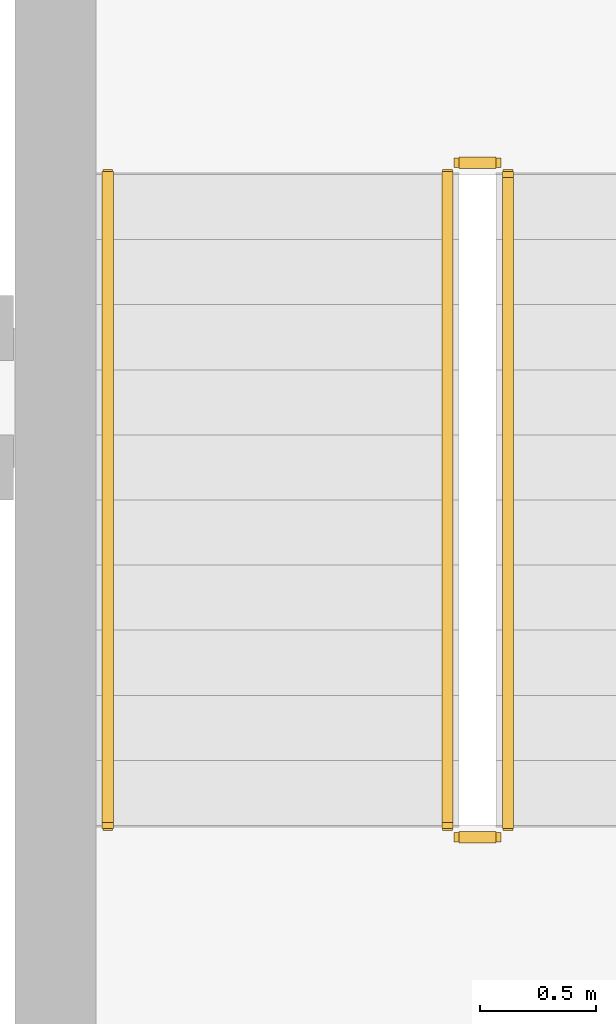
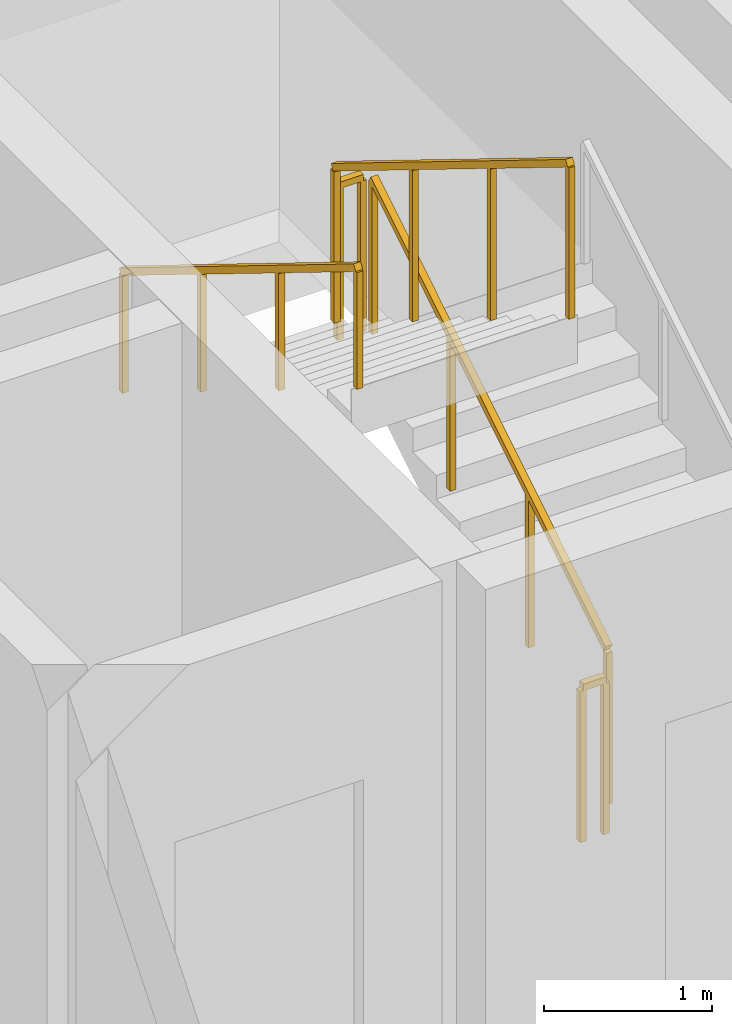
# One storey, part 14 of 15: 5 railings.
"""IFC4 building model written with IfcOpenShell, lengths in metres."""

from ifc_helpers import new_model, si_unit, direction, frame, origin, origin_2d, place, context, subcontext, project, spatial, rectangle, extrude, material, type_object, element, save


model = new_model("IFC4")

# Units and contexts
model_context = context("Model", 3, precision=1e-05, world=origin(), true_north=direction((0.0, 1.0)))
body_context = subcontext(model_context, "Body", "Model", "MODEL_VIEW")
ifc_project = project(units=[si_unit("LENGTHUNIT", "METRE"), si_unit("AREAUNIT", "SQUARE_METRE"), si_unit("VOLUMEUNIT", "CUBIC_METRE"), si_unit("PLANEANGLEUNIT", "RADIAN"), si_unit("MASSUNIT", "GRAM", prefix="KILO")], contexts=[model_context])

# Site, building, storey
site_placement = place(None, origin())
site = spatial("IfcSite", under=ifc_project, at=site_placement, CompositionType="ELEMENT")
building_placement = place(site_placement, origin())
building = spatial("IfcBuilding", under=site, at=building_placement, Name="Kaelvorn Grand Hotel", CompositionType="ELEMENT")
storey_placement = place(building_placement, frame((0.0, 0.0, 173.35009765625)))
storey = spatial("IfcBuildingStorey", under=building, at=storey_placement, Name="L42", CompositionType="ELEMENT", Elevation=173.35009765625)

# Railings
ifc_material = material(Name="Stainless Steel", Category="steel")
railing_type_1 = type_object("IfcRailingType", Name="RL-HANDRAIL-900", PredefinedType="HANDRAIL", material=ifc_material)
railing_1_placement = place(storey_placement, frame((63.3701171875, 44.56005859375, 2.072509765625)))
element("IfcRailing", 1, at=railing_1_placement, inside=storey, type_object=railing_type_1, Name="L42 ST3 stair handrail 2", PredefinedType="HANDRAIL", context=body_context, shape_type="SweptSolid", body=[
    extrude(rectangle(XDim=0.048095703125, YDim=0.048095703125, at=origin_2d()), frame((0.0, 0.0, 0.8759765625), z_axis=(0.0, -0.851089632645, 0.525020415988), x_axis=(1.0, 0.0, 0.0)), (0.0, 0.0, 1.0), 3.2900390625),
    extrude(rectangle(XDim=0.0419921875, YDim=0.0419921875, at=origin_2d()), origin(), (0.0, 0.0, 1.0), 0.851806640625),
    extrude(rectangle(XDim=0.0419921875, YDim=0.0419921875, at=origin_2d()), frame((0.0, -0.933349609375, 0.57568359375)), (0.0, 0.0, 1.0), 0.851806640625),
    extrude(rectangle(XDim=0.0419921875, YDim=0.0419921875, at=origin_2d()), frame((0.0, -1.86669921875, 1.151611328125)), (0.0, 0.0, 1.0), 0.851806640625),
    extrude(rectangle(XDim=0.0419921875, YDim=0.0419921875, at=origin_2d()), frame((0.0, -2.800048828125, 1.727294921875)), (0.0, 0.0, 1.0), 0.851806640625),
])
railing_type_2 = type_object("IfcRailingType", Name="RL-STAIR-GUARD-1150", PredefinedType="BALUSTRADE", material=ifc_material)
railing_2_placement = place(storey_placement, frame((65.090087890625, 41.760009765625, 0.172607421875)))
element("IfcRailing", 2, at=railing_2_placement, inside=storey, type_object=railing_type_2, Name="L42 ST3 stair guard 1", PredefinedType="BALUSTRADE", context=body_context, shape_type="SweptSolid", body=[
    extrude(rectangle(XDim=0.048095703125, YDim=0.048095703125, at=origin_2d()), frame((0.0, 0.0, 1.1259765625), z_axis=(0.0, 0.851089632645, 0.525020415988), x_axis=(-1.0, 0.0, 0.0)), (0.0, 0.0, 1.0), 3.2900390625),
    extrude(rectangle(XDim=0.0419921875, YDim=0.0419921875, at=origin_2d()), origin(), (0.0, 0.0, 1.0), 1.101806640625),
    extrude(rectangle(XDim=0.0419921875, YDim=0.0419921875, at=origin_2d()), frame((0.0, 0.933349609375, 0.57568359375)), (0.0, 0.0, 1.0), 1.101806640625),
    extrude(rectangle(XDim=0.0419921875, YDim=0.0419921875, at=origin_2d()), frame((0.0, 1.86669921875, 1.151611328125)), (0.0, 0.0, 1.0), 1.101806640625),
    extrude(rectangle(XDim=0.0419921875, YDim=0.0419921875, at=origin_2d()), frame((0.0, 2.800048828125, 1.727294921875)), (0.0, 0.0, 1.0), 1.101806640625),
])
railing_3_placement = place(storey_placement, frame((65.0400390625, 44.610107421875, 1.89990234375)))
element("IfcRailing", 3, at=railing_3_placement, inside=storey, type_object=railing_type_2, Name="L42 ST3 stair guard 2", PredefinedType="BALUSTRADE", context=body_context, shape_type="SweptSolid", body=[
    extrude(rectangle(XDim=0.048095703125, YDim=0.048095703125, at=origin_2d()), frame((0.0, 0.0, 1.1259765625), z_axis=(-1.0, 0.0, 0.0), x_axis=(0.0, -1.0, 0.0)), (0.0, 0.0, 1.0), 0.16015625),
    extrude(rectangle(XDim=0.0419921875, YDim=0.0419921875, at=origin_2d()), origin(), (0.0, 0.0, 1.0), 1.101806640625),
    extrude(rectangle(XDim=0.0419921875, YDim=0.0419921875, at=origin_2d()), frame((-0.16015625, 0.0, 0.0)), (0.0, 0.0, 1.0), 1.101806640625),
])
railing_4_placement = place(storey_placement, frame((64.830078125, 44.56005859375, 2.072509765625)))
element("IfcRailing", 4, at=railing_4_placement, inside=storey, type_object=railing_type_2, Name="L42 ST3 stair guard 3", PredefinedType="BALUSTRADE", context=body_context, shape_type="SweptSolid", body=[
    extrude(rectangle(XDim=0.048095703125, YDim=0.048095703125, at=origin_2d()), frame((0.0, 0.0, 1.1259765625), z_axis=(0.0, -0.851089632645, 0.525020415988), x_axis=(1.0, 0.0, 0.0)), (0.0, 0.0, 1.0), 3.2900390625),
    extrude(rectangle(XDim=0.0419921875, YDim=0.0419921875, at=origin_2d()), origin(), (0.0, 0.0, 1.0), 1.101806640625),
    extrude(rectangle(XDim=0.0419921875, YDim=0.0419921875, at=origin_2d()), frame((0.0, -0.933349609375, 0.57568359375)), (0.0, 0.0, 1.0), 1.101806640625),
    extrude(rectangle(XDim=0.0419921875, YDim=0.0419921875, at=origin_2d()), frame((0.0, -1.86669921875, 1.151611328125)), (0.0, 0.0, 1.0), 1.101806640625),
    extrude(rectangle(XDim=0.0419921875, YDim=0.0419921875, at=origin_2d()), frame((0.0, -2.800048828125, 1.727294921875)), (0.0, 0.0, 1.0), 1.101806640625),
])
railing_5_placement = place(storey_placement, frame((65.0400390625, 41.7099609375, 0.0)))
element("IfcRailing", 5, at=railing_5_placement, inside=storey, type_object=railing_type_2, Name="L42 ST3 stair guard 4", PredefinedType="BALUSTRADE", context=body_context, shape_type="SweptSolid", body=[
    extrude(rectangle(XDim=0.048095703125, YDim=0.048095703125, at=origin_2d()), frame((0.0, 0.0, 1.1259765625), z_axis=(-1.0, 0.0, 0.0), x_axis=(0.0, -1.0, 0.0)), (0.0, 0.0, 1.0), 0.16015625),
    extrude(rectangle(XDim=0.0419921875, YDim=0.0419921875, at=origin_2d()), origin(), (0.0, 0.0, 1.0), 1.101806640625),
    extrude(rectangle(XDim=0.0419921875, YDim=0.0419921875, at=origin_2d()), frame((-0.16015625, 0.0, 0.0)), (0.0, 0.0, 1.0), 1.101806640625),
])

save(model, "model.ifc")
